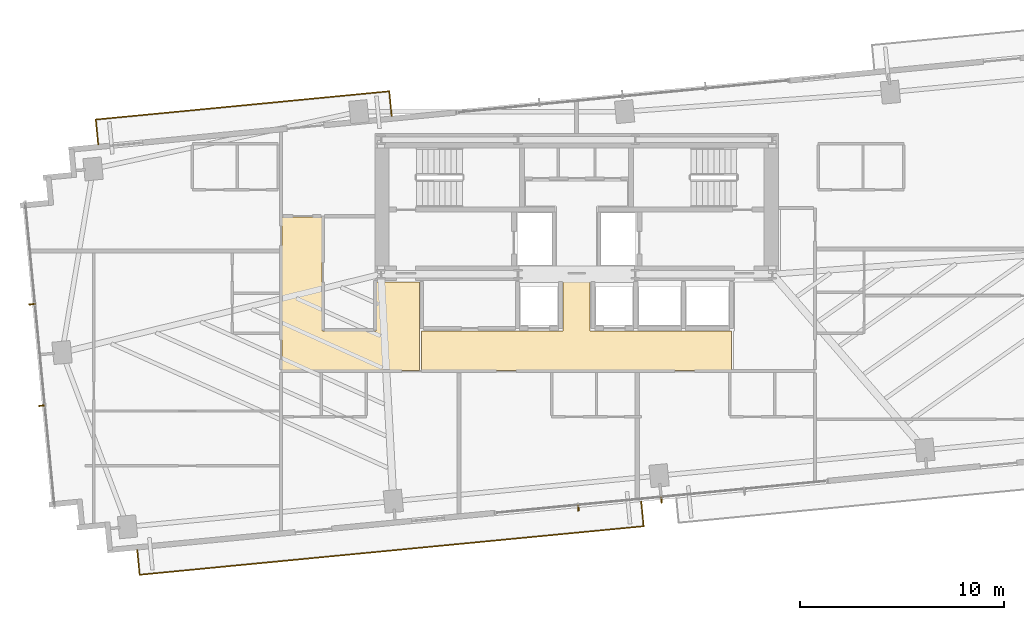
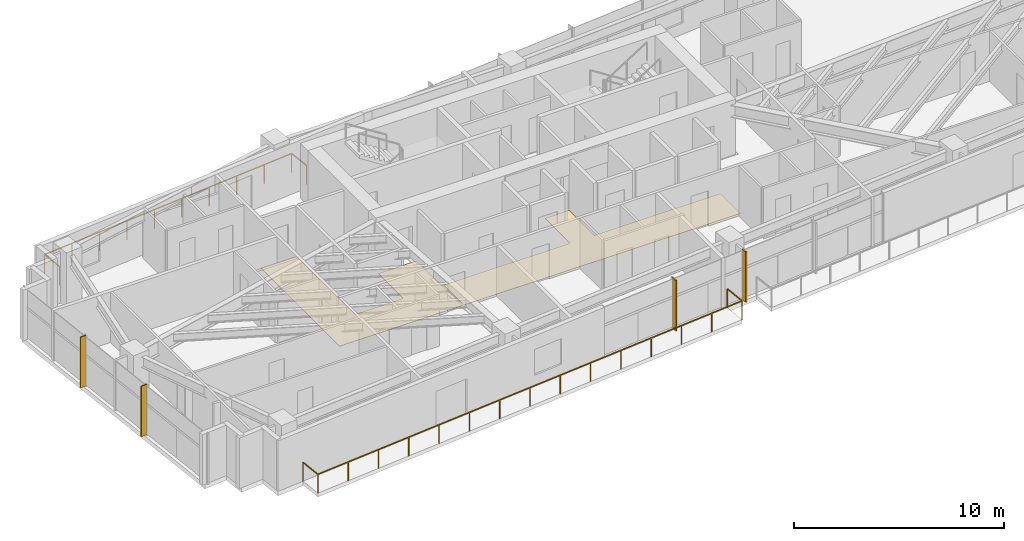
# One storey, part 25 of 27: 4 shading devices, 2 coverings, 2 railings.
"""IFC4 building model written with IfcOpenShell, lengths in metres."""

import ifcopenshell
import ifcopenshell.guid

model = None  # the IFC model being written
_history = None  # IfcOwnerHistory: only IFC2X3 demands one
_inside = {}  # id of a spatial element -> (the spatial element, [elements in it])
_under = {}  # id of a project, library or spatial element -> (it, [spatial elements below it])
_declared = {}  # id of a project -> (the project, [libraries it declares])
_typed = {}  # id of a type object -> (the type object, [elements of that type])
_made_of = {}  # id of a material, layer set ... -> (it, [elements and type objects made of it])


def new_model(schema):
    """Start an empty IFC model of exactly this schema.

    Asked for "IFC4X3", IfcOpenShell would pick the latest addendum, in which some entities
    have other attributes; the version numbers below select the first issue.
    IFC2X3 requires an IfcOwnerHistory on every rooted entity: one is made here for all.
    """
    global model, _history
    if schema == "IFC4X3":
        model = ifcopenshell.file(schema_version=(4, 3, 0, 0))
    else:
        model = ifcopenshell.file(schema=schema)
    _inside.clear()
    _under.clear()
    _declared.clear()
    _typed.clear()
    _made_of.clear()
    _history = None
    if model.schema == "IFC2X3":
        org = make("IfcOrganization", Name="unknown")
        user = make(
            "IfcPersonAndOrganization",
            ThePerson=make("IfcPerson", FamilyName="unknown"),
            TheOrganization=org,
        )
        app = make(
            "IfcApplication",
            ApplicationDeveloper=org,
            Version="unknown",
            ApplicationFullName="unknown",
            ApplicationIdentifier="unknown",
        )
        _history = make(
            "IfcOwnerHistory",
            OwningUser=user,
            OwningApplication=app,
            ChangeAction="ADDED",
            CreationDate=0,
        )
    return model


def make(cls, **values):
    """One entity of the class cls with the attributes given. An attribute that is None is left unset."""
    return model.create_entity(
        cls, **{name: value for name, value in values.items() if value is not None}
    )


def rooted(cls, **values):
    """An entity with a GlobalId (a new one), such as an element, a storey or a relation."""
    return make(cls, GlobalId=ifcopenshell.guid.new(), OwnerHistory=_history, **values)


def si_unit(unit_type, name, prefix=None):
    """IfcSIUnit, for example si_unit("LENGTHUNIT", "METRE", prefix="MILLI")."""
    return make("IfcSIUnit", UnitType=unit_type, Prefix=prefix, Name=name)


def assignment(units):
    """IfcUnitAssignment: the units of a project."""
    return None if units is None else make("IfcUnitAssignment", Units=units)


def point(xyz):
    """IfcCartesianPoint."""
    return None if xyz is None else make("IfcCartesianPoint", Coordinates=xyz)


def direction(xyz):
    """IfcDirection."""
    return None if xyz is None else make("IfcDirection", DirectionRatios=xyz)


def frame(location, z_axis=None, x_axis=None):
    """IfcAxis2Placement3D, a coordinate frame: its origin and axes. An axis left out is left unset."""
    return make(
        "IfcAxis2Placement3D",
        Location=point(location),
        Axis=direction(z_axis),
        RefDirection=direction(x_axis),
    )


def frame_2d(location, x_axis=None):
    """IfcAxis2Placement2D, a coordinate frame in the plane: its origin and x axis."""
    return make(
        "IfcAxis2Placement2D", Location=point(location), RefDirection=direction(x_axis)
    )


def origin():
    """The frame at (0, 0, 0) with its axes left unset."""
    return frame((0.0, 0.0, 0.0))


def origin_2d():
    """The frame at (0, 0) in the plane with its x axis left unset."""
    return frame_2d((0.0, 0.0))


def place(relative_to, where):
    """IfcLocalPlacement: puts the frame where relative to a parent placement (None: the world)."""
    return make(
        "IfcLocalPlacement", PlacementRelTo=relative_to, RelativePlacement=where
    )


def context(
    kind, dimensions, precision=None, world=None, true_north=None, identifier=None
):
    """IfcGeometricRepresentationContext, for example the 3D "Model" context."""
    return make(
        "IfcGeometricRepresentationContext",
        ContextIdentifier=identifier,
        ContextType=kind,
        CoordinateSpaceDimension=dimensions,
        Precision=precision,
        WorldCoordinateSystem=world,
        TrueNorth=true_north,
    )


def subcontext(parent, identifier, kind, view, scale=None):
    """IfcGeometricRepresentationSubContext, for example "Body" below "Model"."""
    return make(
        "IfcGeometricRepresentationSubContext",
        ContextIdentifier=identifier,
        ContextType=kind,
        ParentContext=parent,
        TargetScale=scale,
        TargetView=view,
    )


def project(units=None, contexts=None):
    """IfcProject with its units and contexts."""
    return rooted(
        "IfcProject",
        Name="project",
        RepresentationContexts=contexts,
        UnitsInContext=assignment(units),
    )


def spatial(cls, under=None, at=None, **own):
    """A site, building, storey or space (cls), placed at a placement, below another one or the project."""
    s = rooted(cls, ObjectPlacement=at, **own)
    if under is not None:
        _under.setdefault(under.id(), (under, []))[1].append(s)
    return s


def polyline(points):
    """IfcPolyline through the points."""
    return make("IfcPolyline", Points=[point(p) for p in points])


def profile(cls, at=None, kind="AREA", **sizes):
    """A parametric profile (cls). Its sizes go by their IFC names, for example OverallWidth=200.0."""
    return make(cls, ProfileType=kind, Position=at, **sizes)


def rectangle(**sizes):
    """IfcRectangleProfileDef."""
    return profile("IfcRectangleProfileDef", **sizes)


def outline(outer, holes=None, kind="AREA"):
    """IfcArbitraryClosedProfileDef: a profile drawn as a closed curve; with holes, ...WithVoids."""
    if holes is None:
        return make("IfcArbitraryClosedProfileDef", ProfileType=kind, OuterCurve=outer)
    return make(
        "IfcArbitraryProfileDefWithVoids",
        ProfileType=kind,
        OuterCurve=outer,
        InnerCurves=holes,
    )


def extrude(swept, where, along, depth):
    """IfcExtrudedAreaSolid: the profile swept, set in the frame where, extruded along a direction by depth."""
    return make(
        "IfcExtrudedAreaSolid",
        SweptArea=swept,
        Position=where,
        ExtrudedDirection=direction(along),
        Depth=depth,
    )


def shape(context_of_items, identifier, shape_type, items):
    """IfcShapeRepresentation: the items that make up one representation, for example the "Body"."""
    return make(
        "IfcShapeRepresentation",
        ContextOfItems=context_of_items,
        RepresentationIdentifier=identifier,
        RepresentationType=shape_type,
        Items=items,
    )


def source(mapping_origin, context_of_items, identifier, shape_type, items):
    """IfcRepresentationMap: a shape defined once, which mapped items show again and again."""
    return make(
        "IfcRepresentationMap",
        MappingOrigin=mapping_origin,
        MappedRepresentation=shape(context_of_items, identifier, shape_type, items),
    )


def transform(
    local_origin,
    x_axis=None,
    y_axis=None,
    z_axis=None,
    scale=None,
    scale2=None,
    scale3=None,
    uniform=True,
):
    """IfcCartesianTransformationOperator3D, or its non-uniform kind. x_axis, y_axis, z_axis: its Axis1, 2, 3."""
    if uniform:
        return make(
            "IfcCartesianTransformationOperator3D",
            Axis1=direction(x_axis),
            Axis2=direction(y_axis),
            LocalOrigin=point(local_origin),
            Scale=scale,
            Axis3=direction(z_axis),
        )
    return make(
        "IfcCartesianTransformationOperator3DnonUniform",
        Axis1=direction(x_axis),
        Axis2=direction(y_axis),
        LocalOrigin=point(local_origin),
        Scale=scale,
        Axis3=direction(z_axis),
        Scale2=scale2,
        Scale3=scale3,
    )


def mapped(mapping_source, mapping_target):
    """IfcMappedItem: shows the shape of a source again, moved by a transform."""
    return make(
        "IfcMappedItem", MappingSource=mapping_source, MappingTarget=mapping_target
    )


def material(Name=None, Category=None):
    """IfcMaterial."""
    return make("IfcMaterial", Name=Name, Category=Category)


def layer(
    of_material, thickness, ventilated=None, Name=None, Category=None, Priority=None
):
    """IfcMaterialLayer: one layer of a wall or slab, of a material (None: an air gap)."""
    return make(
        "IfcMaterialLayer",
        Material=of_material,
        LayerThickness=thickness,
        IsVentilated=ventilated,
        Name=Name,
        Category=Category,
        Priority=Priority,
    )


def layer_set(layers, Name=None):
    """IfcMaterialLayerSet."""
    return make("IfcMaterialLayerSet", MaterialLayers=layers, LayerSetName=Name)


def made_of(thing, what):
    """Note that an element or type object is made of a material, layer set ...; save() writes the relation."""
    if what is not None:
        _made_of.setdefault(what.id(), (what, []))[1].append(thing)
    return thing


def type_object(cls, material=None, **own):
    """A type object (cls), such as IfcWallType, which elements share."""
    return made_of(rooted(cls, **own), material)


def type_shapes(of_type, sources):
    """Give a type object the sources (RepresentationMaps) that its elements show as mapped items."""
    of_type.RepresentationMaps = sources


def element(
    cls,
    number,
    at=None,
    inside=None,
    cuts=None,
    type_object=None,
    material=None,
    context=None,
    identifier="Body",
    shape_type=None,
    held_by="IfcProductDefinitionShape",
    body=None,
    shapes=None,
    **own,
):
    """One element of the class cls, such as IfcWall. Its Tag is "e" and its number.

    at: its placement. inside: the storey or other place that contains it. cuts: it is an
    opening in that element (IfcRelVoidsElement). A single representation is given by context,
    identifier, shape_type and body (its items); several are given by shapes. held_by: the class
    of the entity that holds the representations. save() writes the other relations.
    """
    e = rooted(cls, Tag="e%d" % number, ObjectPlacement=at, **own)
    if body is not None:
        shapes = [shape(context, identifier, shape_type, body)]
    if shapes is not None:
        e.Representation = make(held_by, Representations=shapes)
    if inside is not None:
        _inside.setdefault(inside.id(), (inside, []))[1].append(e)
    if cuts is not None:
        rooted(
            "IfcRelVoidsElement", RelatingBuildingElement=cuts, RelatedOpeningElement=e
        )
    if type_object is not None:
        _typed.setdefault(type_object.id(), (type_object, []))[1].append(e)
    return made_of(e, material)


def aggregate(whole, parts):
    """IfcRelAggregates: a whole, such as a stair, and the parts it consists of."""
    return rooted("IfcRelAggregates", RelatingObject=whole, RelatedObjects=parts)


def save(model, path):
    """Write the relations noted so far, then the file.

    IfcRelAggregates (storeys below a building ...), IfcRelContainedInSpatialStructure (elements
    in a storey), IfcRelDefinesByType, IfcRelAssociatesMaterial and IfcRelDeclares: one each for
    every whole, place, type object, material and project.
    """
    for whole, parts in _under.values():
        aggregate(whole, parts)
    for where, things in _inside.values():
        rooted(
            "IfcRelContainedInSpatialStructure",
            RelatedElements=things,
            RelatingStructure=where,
        )
    for kind, things in _typed.values():
        rooted("IfcRelDefinesByType", RelatedObjects=things, RelatingType=kind)
    for what, things in _made_of.values():
        rooted("IfcRelAssociatesMaterial", RelatedObjects=things, RelatingMaterial=what)
    for by, libraries in _declared.values():
        rooted("IfcRelDeclares", RelatingContext=by, RelatedDefinitions=libraries)
    model.write(path)


model = new_model("IFC4")

# Units and contexts
model_context = context("Model", 3, precision=1e-05, world=origin(), true_north=direction((0.0, 1.0)))
body_context = subcontext(model_context, "Body", "Model", "MODEL_VIEW")
ifc_project = project(units=[si_unit("LENGTHUNIT", "METRE"), si_unit("AREAUNIT", "SQUARE_METRE"), si_unit("VOLUMEUNIT", "CUBIC_METRE"), si_unit("PLANEANGLEUNIT", "RADIAN"), si_unit("MASSUNIT", "GRAM", prefix="KILO")], contexts=[model_context])

# Site, building, storey
site_placement = place(None, origin())
site = spatial("IfcSite", under=ifc_project, at=site_placement, CompositionType="ELEMENT")
building_placement = place(site_placement, origin())
building = spatial("IfcBuilding", under=site, at=building_placement, Name="Astriad Promenade Condominiums", CompositionType="ELEMENT")
storey_placement = place(building_placement, frame((0.0, 0.0, 109.800048828125)))
storey = spatial("IfcBuildingStorey", under=building, at=storey_placement, Name="L31", CompositionType="ELEMENT", Elevation=109.800048828125)

# Coverings
ifc_material_1 = material(Name="Polished Lakefront Terrazzo Flooring")
ifc_layer = layer(ifc_material_1, 0.02001953125)
ifc_layer_set = layer_set([ifc_layer], Name="Polished Lakefront Terrazzo Flooring")
covering_type = type_object("IfcCoveringType", Name="COV-FLOR-TERRAZZO-20", PredefinedType="FLOORING", material=ifc_layer_set)
covering_1_placement = place(storey_placement, origin())
element("IfcCovering", 1, at=covering_1_placement, inside=storey, type_object=covering_type, Name="FLR-L31-LLB", PredefinedType="FLOORING", context=body_context, shape_type="SweptSolid", body=[
    extrude(outline(polyline([(32.9736328125, 14.6201171875), (32.974609375, 14.619140625), (32.977783203125, 14.61669921875), (32.981201171875, 14.61474609375), (32.984619140625, 14.613037109375), (32.98828125, 14.61181640625), (32.9921875, 14.61083984375), (32.99609375, 14.610107421875), (33.0, 14.610107421875), (35.300048828125, 14.610107421875), (35.303955078125, 14.610107421875), (35.307861328125, 14.61083984375), (35.3115234375, 14.61181640625), (35.315185546875, 14.613037109375), (35.31884765625, 14.61474609375), (35.322265625, 14.61669921875), (35.325439453125, 14.619140625), (35.328369140625, 14.62158203125), (35.330810546875, 14.62451171875), (35.333251953125, 14.627685546875), (35.335205078125, 14.631103515625), (35.3369140625, 14.634765625), (35.33837890625, 14.638427734375), (35.339111328125, 14.64208984375), (35.33984375, 14.64599609375), (35.340087890625, 14.64990234375), (35.340087890625, 17.010009765625), (36.659912109375, 17.010009765625), (36.659912109375, 14.64990234375), (36.66015625, 14.64599609375), (36.660888671875, 14.64208984375), (36.66162109375, 14.638427734375), (36.6630859375, 14.634765625), (36.664794921875, 14.631103515625), (36.666748046875, 14.627685546875), (36.669189453125, 14.62451171875), (36.671630859375, 14.62158203125), (36.674560546875, 14.619140625), (36.677734375, 14.61669921875), (36.68115234375, 14.61474609375), (36.684814453125, 14.613037109375), (36.6884765625, 14.61181640625), (36.692138671875, 14.61083984375), (36.696044921875, 14.610107421875), (36.699951171875, 14.610107421875), (43.610107421875, 14.610107421875), (43.610107421875, 12.68994140625), (28.389892578125, 12.68994140625), (28.389892578125, 14.6201171875), (32.9736328125, 14.6201171875)])), origin(), (0.0, 0.0, 1.0), 0.02001953125),
])
covering_2_placement = place(storey_placement, origin())
element("IfcCovering", 2, at=covering_2_placement, inside=storey, type_object=covering_type, Name="FLR-L31-COR-2", PredefinedType="FLOORING", context=body_context, shape_type="SweptSolid", body=[
    extrude(outline(polyline([(28.300048828125, 12.68994140625), (21.5400390625, 12.68994140625), (21.5400390625, 20.2099609375), (23.510009765625, 20.2099609375), (23.510009765625, 14.659912109375), (23.51025390625, 14.656005859375), (23.5107421875, 14.652099609375), (23.51171875, 14.6484375), (23.512939453125, 14.644775390625), (23.5146484375, 14.64111328125), (23.5166015625, 14.6376953125), (23.51904296875, 14.634521484375), (23.521728515625, 14.631591796875), (23.524658203125, 14.629150390625), (23.52783203125, 14.626708984375), (23.531005859375, 14.624755859375), (23.53466796875, 14.623046875), (23.538330078125, 14.62158203125), (23.542236328125, 14.620849609375), (23.546142578125, 14.6201171875), (23.550048828125, 14.6201171875), (26.1201171875, 14.6201171875), (26.123779296875, 14.6201171875), (26.127685546875, 14.620849609375), (26.131591796875, 14.62158203125), (26.13525390625, 14.623046875), (26.138916015625, 14.624755859375), (26.14208984375, 14.626708984375), (26.1455078125, 14.629150390625), (26.148193359375, 14.631591796875), (26.15087890625, 14.634521484375), (26.1533203125, 14.6376953125), (26.1552734375, 14.64111328125), (26.156982421875, 14.644775390625), (26.158203125, 14.6484375), (26.1591796875, 14.652099609375), (26.159912109375, 14.656005859375), (26.159912109375, 14.659912109375), (26.159912109375, 17.010009765625), (28.280029296875, 17.010009765625), (28.280029296875, 14.659912109375), (28.2802734375, 14.656005859375), (28.28076171875, 14.652099609375), (28.28173828125, 14.6484375), (28.282958984375, 14.644775390625), (28.28466796875, 14.64111328125), (28.28662109375, 14.6376953125), (28.2890625, 14.634521484375), (28.291748046875, 14.631591796875), (28.294677734375, 14.629150390625), (28.2978515625, 14.626708984375), (28.300048828125, 14.62548828125), (28.300048828125, 12.68994140625)])), origin(), (0.0, 0.0, 1.0), 0.02001953125),
])

# Shading devices
ifc_material_2 = material(Name="Anodised aluminium 6063-T6 Black Fin", Category="aluminium")
shading_device_type = type_object("IfcShadingDeviceType", Name="FIN-BLACK-320", PredefinedType="USERDEFINED", material=ifc_material_2)
shared_shape_1 = source(origin(), body_context, "Body", "SweptSolid", [
    extrude(rectangle(XDim=0.06494140625, YDim=0.320068359375, at=origin_2d()), origin(), (0.0, 0.0, 1.0), 2.93994140625),
])
type_shapes(shading_device_type, [shared_shape_1])
for number, where, z_axis, x_axis, name in (
    (3, (9.766845703125, 10.954345703125, 0.0), (0.0, 0.0, 1.0), (-0.09584575252, 0.995396198367, 0.0), "CW-L31-W-FIN-01"),
    (4, (9.28759765625, 15.931396484375, 0.0), (0.0, 0.0, 1.0), (-0.09584575252, 0.995396198367, 0.0), "CW-L31-W-FIN-02"),
    (5, (40.159423828125, 6.3359375, 0.0), (0.0, 0.0, 1.0), (-0.995396198367, -0.09584575252, 0.0), "CW-L31-S-FIN-02"),
    (6, (36.083251953125, 5.943603515625, 0.0), (0.0, 0.0, 1.0), (-0.995396198367, -0.09584575252, 0.0), "CW-L31-S-FIN-03"),
):
    element("IfcShadingDevice", number, at=place(storey_placement, frame(where, z_axis=z_axis, x_axis=x_axis)), inside=storey, type_object=shading_device_type, Name=name, ObjectType="FIN", PredefinedType="USERDEFINED", context=body_context, shape_type="MappedRepresentation", body=[
        mapped(shared_shape_1, transform((0.0, 0.0, 0.0), scale=1.0)),
    ])

# Railings
ifc_material_3 = material(Name="Laminated Glass and Stainless Steel Balustrade", Category="steel")
railing_type = type_object("IfcRailingType", Name="GRD-BALC-1120", PredefinedType="BALUSTRADE", material=ifc_material_3)
shared_shape_2 = source(origin(), body_context, "Body", "SweptSolid", [
    extrude(rectangle(XDim=0.048095703125, YDim=0.048095703125, at=origin_2d()), frame((0.0, 0.0, 1.09619140625), z_axis=(0.095857307208, -0.99539508571, 0.0), x_axis=(0.99539508571, 0.095857307208, 0.0)), (0.0, 0.0, 1.0), 1.219970703125),
    extrude(rectangle(XDim=0.048095703125, YDim=0.048095703125, at=origin_2d()), frame((0.116943359375, -1.21435546875, 1.09619140625), z_axis=(0.995396704625, 0.095840494683, 0.0), x_axis=(-0.095840494683, 0.995396704625, 0.0)), (0.0, 0.0, 1.0), 24.841796875),
    extrude(rectangle(XDim=0.048095703125, YDim=0.048095703125, at=origin_2d()), frame((24.844482421875, 1.16650390625, 1.09619140625), z_axis=(-0.095857307208, 0.99539508571, 0.0), x_axis=(-0.99539508571, -0.095857307208, 0.0)), (0.0, 0.0, 1.0), 1.219970703125),
    extrude(rectangle(XDim=0.0419921875, YDim=0.0419921875, at=origin_2d()), origin(), (0.0, 0.0, 1.0), 1.072021484375),
    extrude(rectangle(XDim=0.0419921875, YDim=0.0419921875, at=origin_2d()), frame((0.116943359375, -1.21435546875, 0.0)), (0.0, 0.0, 1.0), 1.072021484375),
    extrude(rectangle(XDim=0.0419921875, YDim=0.0419921875, at=origin_2d()), frame((1.88330078125, -1.044189453125, 0.0)), (0.0, 0.0, 1.0), 1.072021484375),
    extrude(rectangle(XDim=0.0419921875, YDim=0.0419921875, at=origin_2d()), frame((3.6494140625, -0.874267578125, 0.0)), (0.0, 0.0, 1.0), 1.072021484375),
    extrude(rectangle(XDim=0.0419921875, YDim=0.0419921875, at=origin_2d()), frame((5.415771484375, -0.7041015625, 0.0)), (0.0, 0.0, 1.0), 1.072021484375),
    extrude(rectangle(XDim=0.0419921875, YDim=0.0419921875, at=origin_2d()), frame((7.181884765625, -0.5341796875, 0.0)), (0.0, 0.0, 1.0), 1.072021484375),
    extrude(rectangle(XDim=0.0419921875, YDim=0.0419921875, at=origin_2d()), frame((8.9482421875, -0.364013671875, 0.0)), (0.0, 0.0, 1.0), 1.072021484375),
    extrude(rectangle(XDim=0.0419921875, YDim=0.0419921875, at=origin_2d()), frame((10.71435546875, -0.194091796875, 0.0)), (0.0, 0.0, 1.0), 1.072021484375),
    extrude(rectangle(XDim=0.0419921875, YDim=0.0419921875, at=origin_2d()), frame((12.480712890625, -0.02392578125, 0.0)), (0.0, 0.0, 1.0), 1.072021484375),
    extrude(rectangle(XDim=0.0419921875, YDim=0.0419921875, at=origin_2d()), frame((14.2470703125, 0.146240234375, 0.0)), (0.0, 0.0, 1.0), 1.072021484375),
    extrude(rectangle(XDim=0.0419921875, YDim=0.0419921875, at=origin_2d()), frame((16.01318359375, 0.316162109375, 0.0)), (0.0, 0.0, 1.0), 1.072021484375),
    extrude(rectangle(XDim=0.0419921875, YDim=0.0419921875, at=origin_2d()), frame((17.779541015625, 0.486328125, 0.0)), (0.0, 0.0, 1.0), 1.072021484375),
    extrude(rectangle(XDim=0.0419921875, YDim=0.0419921875, at=origin_2d()), frame((19.545654296875, 0.65625, 0.0)), (0.0, 0.0, 1.0), 1.072021484375),
    extrude(rectangle(XDim=0.0419921875, YDim=0.0419921875, at=origin_2d()), frame((21.31201171875, 0.826416015625, 0.0)), (0.0, 0.0, 1.0), 1.072021484375),
    extrude(rectangle(XDim=0.0419921875, YDim=0.0419921875, at=origin_2d()), frame((23.078125, 0.996337890625, 0.0)), (0.0, 0.0, 1.0), 1.072021484375),
    extrude(rectangle(XDim=0.0419921875, YDim=0.0419921875, at=origin_2d()), frame((24.844482421875, 1.16650390625, 0.0)), (0.0, 0.0, 1.0), 1.072021484375),
    extrude(rectangle(XDim=0.0419921875, YDim=0.0419921875, at=origin_2d()), frame((24.7275390625, 2.380859375, 0.0)), (0.0, 0.0, 1.0), 1.072021484375),
])
railing_1_placement = place(storey_placement, frame((14.44140625, 3.869873046875, 0.0)))
element("IfcRailing", 7, at=railing_1_placement, inside=storey, type_object=railing_type, Name="GRD-BALC-L31-SW", PredefinedType="BALUSTRADE", context=body_context, shape_type="MappedRepresentation", body=[
    mapped(shared_shape_2, transform((0.0, 0.0, 0.0), scale=1.0)),
])
shared_shape_3 = source(origin(), body_context, "Body", "SweptSolid", [
    extrude(rectangle(XDim=0.048095703125, YDim=0.048095703125, at=origin_2d()), frame((0.0, 0.0, 1.09619140625), z_axis=(-0.095857307208, 0.99539508571, 0.0), x_axis=(-0.99539508571, -0.095857307208, 0.0)), (0.0, 0.0, 1.0), 1.219970703125),
    extrude(rectangle(XDim=0.048095703125, YDim=0.048095703125, at=origin_2d()), frame((-0.116943359375, 1.21435546875, 1.09619140625), z_axis=(-0.995396249527, -0.095845221199, 0.0), x_axis=(0.095845221199, -0.995396249527, 0.0)), (0.0, 0.0, 1.0), 14.4658203125),
    extrude(rectangle(XDim=0.048095703125, YDim=0.048095703125, at=origin_2d()), frame((-14.51611328125, -0.172119140625, 1.09619140625), z_axis=(0.095639968643, -0.995415991633, 0.0), x_axis=(0.995415991633, 0.095639968643, 0.0)), (0.0, 0.0, 1.0), 1.22021484375),
    extrude(rectangle(XDim=0.0419921875, YDim=0.0419921875, at=origin_2d()), origin(), (0.0, 0.0, 1.0), 1.072021484375),
    extrude(rectangle(XDim=0.0419921875, YDim=0.0419921875, at=origin_2d()), frame((-0.116943359375, 1.21435546875, 0.0)), (0.0, 0.0, 1.0), 1.072021484375),
    extrude(rectangle(XDim=0.0419921875, YDim=0.0419921875, at=origin_2d()), frame((-1.716796875, 1.060302734375, 0.0)), (0.0, 0.0, 1.0), 1.072021484375),
    extrude(rectangle(XDim=0.0419921875, YDim=0.0419921875, at=origin_2d()), frame((-3.316650390625, 0.90625, 0.0)), (0.0, 0.0, 1.0), 1.072021484375),
    extrude(rectangle(XDim=0.0419921875, YDim=0.0419921875, at=origin_2d()), frame((-4.916748046875, 0.752197265625, 0.0)), (0.0, 0.0, 1.0), 1.072021484375),
    extrude(rectangle(XDim=0.0419921875, YDim=0.0419921875, at=origin_2d()), frame((-6.5166015625, 0.59814453125, 0.0)), (0.0, 0.0, 1.0), 1.072021484375),
    extrude(rectangle(XDim=0.0419921875, YDim=0.0419921875, at=origin_2d()), frame((-8.116455078125, 0.444091796875, 0.0)), (0.0, 0.0, 1.0), 1.072021484375),
    extrude(rectangle(XDim=0.0419921875, YDim=0.0419921875, at=origin_2d()), frame((-9.71630859375, 0.2900390625, 0.0)), (0.0, 0.0, 1.0), 1.072021484375),
    extrude(rectangle(XDim=0.0419921875, YDim=0.0419921875, at=origin_2d()), frame((-11.31640625, 0.135986328125, 0.0)), (0.0, 0.0, 1.0), 1.072021484375),
    extrude(rectangle(XDim=0.0419921875, YDim=0.0419921875, at=origin_2d()), frame((-12.916259765625, -0.01806640625, 0.0)), (0.0, 0.0, 1.0), 1.072021484375),
    extrude(rectangle(XDim=0.0419921875, YDim=0.0419921875, at=origin_2d()), frame((-14.51611328125, -0.172119140625, 0.0)), (0.0, 0.0, 1.0), 1.072021484375),
    extrude(rectangle(XDim=0.0419921875, YDim=0.0419921875, at=origin_2d()), frame((-14.3994140625, -1.38671875, 0.0)), (0.0, 0.0, 1.0), 1.072021484375),
])
type_shapes(railing_type, [shared_shape_2, shared_shape_3])
railing_2_placement = place(storey_placement, frame((26.923828125, 25.164306640625, 0.0)))
element("IfcRailing", 8, at=railing_2_placement, inside=storey, type_object=railing_type, Name="GRD-BALC-L31-NW", PredefinedType="BALUSTRADE", context=body_context, shape_type="MappedRepresentation", body=[
    mapped(shared_shape_3, transform((0.0, 0.0, 0.0), scale=1.0)),
])

save(model, "model.ifc")
